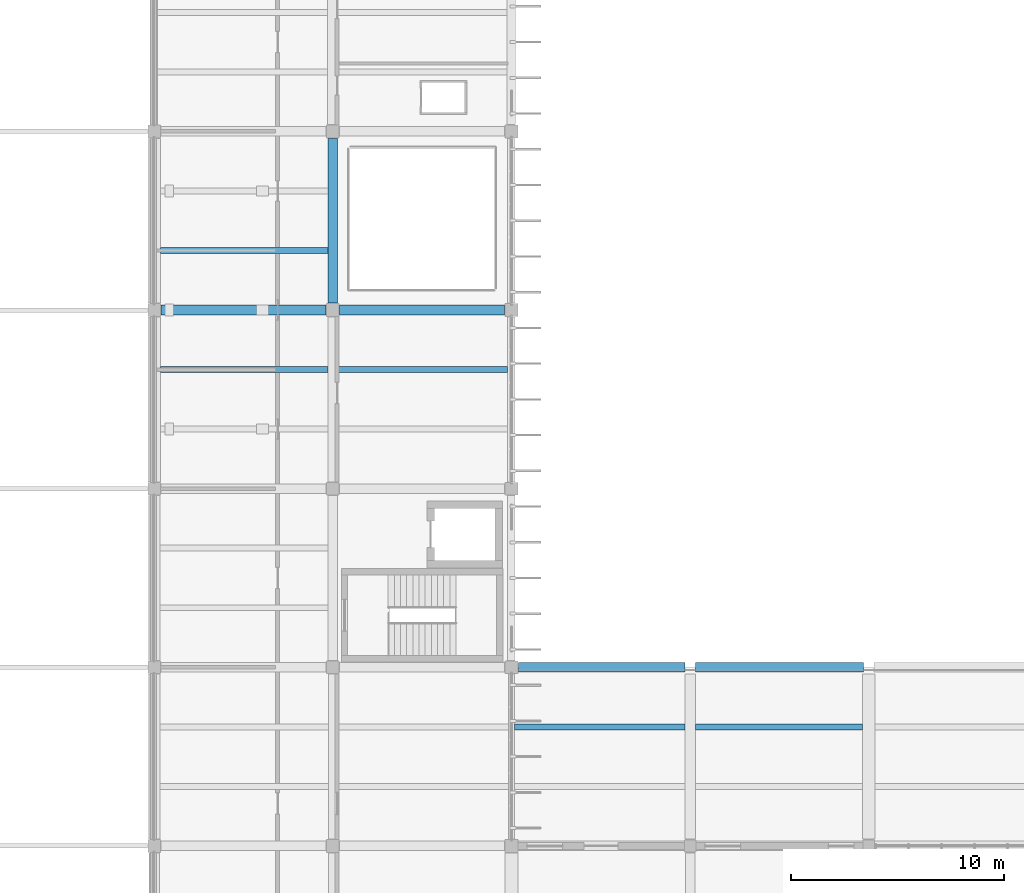
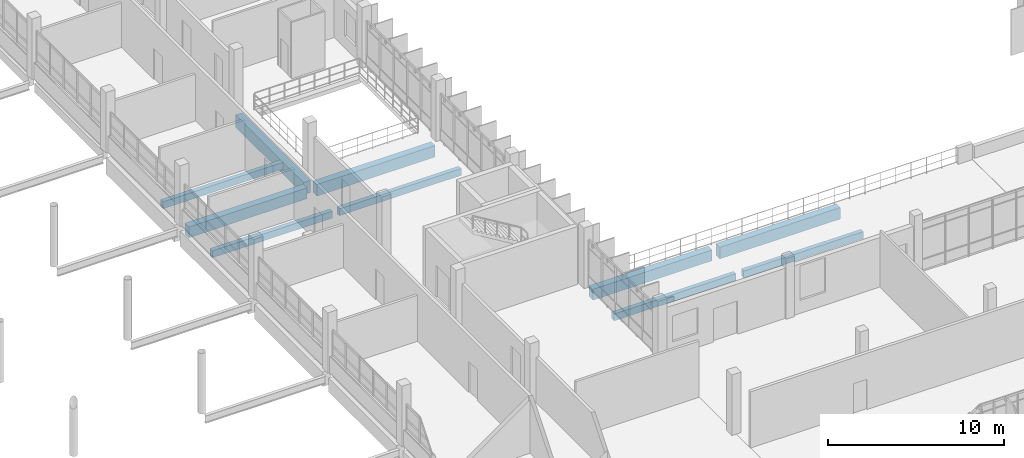
# One storey, part 48 of 130: 10 beams.
"""IFC4 building model written with IfcOpenShell, lengths in metres."""

from ifc_helpers import new_model, si_unit, direction, frame, origin, origin_2d, place, context, subcontext, project, spatial, rectangle, extrude, material, material_profile, profile_set, type_object, element, save


model = new_model("IFC4")

# Units and contexts
model_context = context("Model", 3, precision=1e-05, world=origin(), true_north=direction((0.0, 1.0)))
body_context = subcontext(model_context, "Body", "Model", "MODEL_VIEW")
ifc_project = project(units=[si_unit("LENGTHUNIT", "METRE"), si_unit("AREAUNIT", "SQUARE_METRE"), si_unit("VOLUMEUNIT", "CUBIC_METRE"), si_unit("PLANEANGLEUNIT", "RADIAN"), si_unit("MASSUNIT", "GRAM", prefix="KILO")], contexts=[model_context])

# Site, building, storey
site_placement = place(None, origin())
site = spatial("IfcSite", under=ifc_project, at=site_placement, CompositionType="ELEMENT")
building_placement = place(site_placement, origin())
building = spatial("IfcBuilding", under=site, at=building_placement, Name="Vireocrest Preparatory School", CompositionType="ELEMENT")
storey_placement = place(building_placement, frame((0.0, 0.0, 9.0)))
storey = spatial("IfcBuildingStorey", under=building, at=storey_placement, Name="L02", CompositionType="ELEMENT", Elevation=9.0)

# Beams
ifc_material = material(Name="Concrete 40 MPa", Category="concrete")
ifc_material_profile_1 = material_profile(ifc_material, rectangle(XDim=0.449951171875, YDim=0.85009765625, at=origin_2d()), Name="RC 450x850")
ifc_profile_set_1 = profile_set([ifc_material_profile_1], Name="Concrete 40 MPa")
beam_type_1 = type_object("IfcBeamType", Name="RC Heavy Floor Girder 450x850", PredefinedType="BEAM", material=ifc_profile_set_1)
beam_1_placement = place(storey_placement, frame((100.800048828125, 60.925048828125, -0.72509765625), z_axis=(0.0, 1.0, 0.0), x_axis=(-1.0, 0.0, 0.0)))
element("IfcBeam", 1, at=beam_1_placement, inside=storey, type_object=beam_type_1, Name="Primary Girder B13 L02-0852", PredefinedType="BEAM", context=body_context, shape_type="SweptSolid", body=[
    extrude(rectangle(XDim=0.449951171875, YDim=0.85009765625, at=origin_2d()), origin(), (0.0, 0.0, 1.0), 7.75),
])
ifc_material_profile_2 = material_profile(ifc_material, rectangle(XDim=0.449951171875, YDim=0.75, at=origin_2d()), Name="RC 450x750")
ifc_profile_set_2 = profile_set([ifc_material_profile_2], Name="Concrete 40 MPa")
beam_type_2 = type_object("IfcBeamType", Name="RC Library Stack Girder 450x750", PredefinedType="BEAM", material=ifc_profile_set_2)
beam_2_placement = place(storey_placement, frame((109.52490234375, 43.800048828125, -0.695068359375), z_axis=(1.0, 0.0, 0.0), x_axis=(0.0, 1.0, 0.0)))
element("IfcBeam", 2, at=beam_2_placement, inside=storey, type_object=beam_type_2, Name="Primary Girder B11 L02-0721", PredefinedType="BEAM", context=body_context, shape_type="SweptSolid", body=[
    extrude(rectangle(XDim=0.449951171875, YDim=0.75, at=origin_2d()), origin(), (0.0, 0.0, 1.0), 7.8251953125),
])
beam_3_placement = place(storey_placement, frame((92.72509765625, 60.60009765625, -0.675048828125), z_axis=(1.0, 0.0, 0.0), x_axis=(0.0, 1.0, 0.0)))
element("IfcBeam", 3, at=beam_3_placement, inside=storey, type_object=beam_type_2, Name="Primary Girder B11 L02-0735", PredefinedType="BEAM", context=body_context, shape_type="SweptSolid", body=[
    extrude(rectangle(XDim=0.449951171875, YDim=0.75, at=origin_2d()), origin(), (0.0, 0.0, 1.0), 7.75),
])
ifc_material_profile_3 = material_profile(ifc_material, rectangle(XDim=0.449951171875, YDim=0.800048828125, at=origin_2d()), Name="RC 450x800")
ifc_profile_set_3 = profile_set([ifc_material_profile_3], Name="Concrete 40 MPa")
beam_type_3 = type_object("IfcBeamType", Name="RC Library Stack Girder 450x800", PredefinedType="BEAM", material=ifc_profile_set_3)
beam_4_placement = place(storey_placement, frame((117.85009765625, 43.800048828125, -0.719970703125), z_axis=(1.0, 0.0, 0.0), x_axis=(0.0, 1.0, 0.0)))
element("IfcBeam", 4, at=beam_4_placement, inside=storey, type_object=beam_type_3, Name="Primary Girder B12 L02-0722", PredefinedType="BEAM", context=body_context, shape_type="SweptSolid", body=[
    extrude(rectangle(XDim=0.449951171875, YDim=0.800048828125, at=origin_2d()), origin(), (0.0, 0.0, 1.0), 7.89990234375),
])
beam_5_placement = place(storey_placement, frame((101.125, 60.60009765625, -0.699951171875), z_axis=(1.0, 0.0, 0.0), x_axis=(0.0, 1.0, 0.0)))
element("IfcBeam", 5, at=beam_5_placement, inside=storey, type_object=beam_type_3, Name="Primary Girder B12 L02-0736", PredefinedType="BEAM", context=body_context, shape_type="SweptSolid", body=[
    extrude(rectangle(XDim=0.449951171875, YDim=0.800048828125, at=origin_2d()), origin(), (0.0, 0.0, 1.0), 7.75),
])
ifc_material_profile_4 = material_profile(ifc_material, rectangle(XDim=0.280029296875, YDim=0.47998046875, at=origin_2d()), Name="RC 280x480")
ifc_profile_set_4 = profile_set([ifc_material_profile_4], Name="Concrete 40 MPa")
beam_type_4 = type_object("IfcBeamType", Name="RC Secondary Lab Joist 280x480", PredefinedType="JOIST", material=ifc_profile_set_4)
for number, where, z_axis, x_axis, name in (
    (6, (92.699951171875, 57.800048828125, -0.5400390625), (1.0, 0.0, 0.0), (0.0, 1.0, 0.0), "Secondary Joist J02 L02-0975"),
    (7, (92.699951171875, 63.39990234375, -0.5400390625), (1.0, 0.0, 0.0), (0.0, 1.0, 0.0), "Secondary Joist J02 L02-0976"),
):
    element("IfcBeam", number, at=place(storey_placement, frame(where, z_axis=z_axis, x_axis=x_axis)), inside=storey, type_object=beam_type_4, Name=name, PredefinedType="JOIST", context=body_context, shape_type="SweptSolid", body=[
        extrude(rectangle(XDim=0.280029296875, YDim=0.47998046875, at=origin_2d()), origin(), (0.0, 0.0, 1.0), 7.875),
    ])
for number, where, z_axis, x_axis, name in (
    (8, (101.02490234375, 57.800048828125, -0.5400390625), (1.0, 0.0, 0.0), (0.0, 1.0, 0.0), "Secondary Joist J02 L02-0995"),
    (9, (109.35009765625, 41.0, -0.56005859375), (1.0, 0.0, 0.0), (0.0, 1.0, 0.0), "Secondary Joist J02 L02-1009"),
):
    element("IfcBeam", number, at=place(storey_placement, frame(where, z_axis=z_axis, x_axis=x_axis)), inside=storey, type_object=beam_type_4, Name=name, PredefinedType="JOIST", context=body_context, shape_type="SweptSolid", body=[
        extrude(rectangle(XDim=0.280029296875, YDim=0.47998046875, at=origin_2d()), origin(), (0.0, 0.0, 1.0), 8.0),
    ])
beam_6_placement = place(storey_placement, frame((117.85009765625, 41.0, -0.56005859375), z_axis=(1.0, 0.0, 0.0), x_axis=(0.0, 1.0, 0.0)))
element("IfcBeam", 10, at=beam_6_placement, inside=storey, type_object=beam_type_4, Name="Secondary Joist J02 L02-1021", PredefinedType="JOIST", context=body_context, shape_type="SweptSolid", body=[
    extrude(rectangle(XDim=0.280029296875, YDim=0.47998046875, at=origin_2d()), origin(), (0.0, 0.0, 1.0), 7.849853515625),
])

save(model, "model.ifc")
